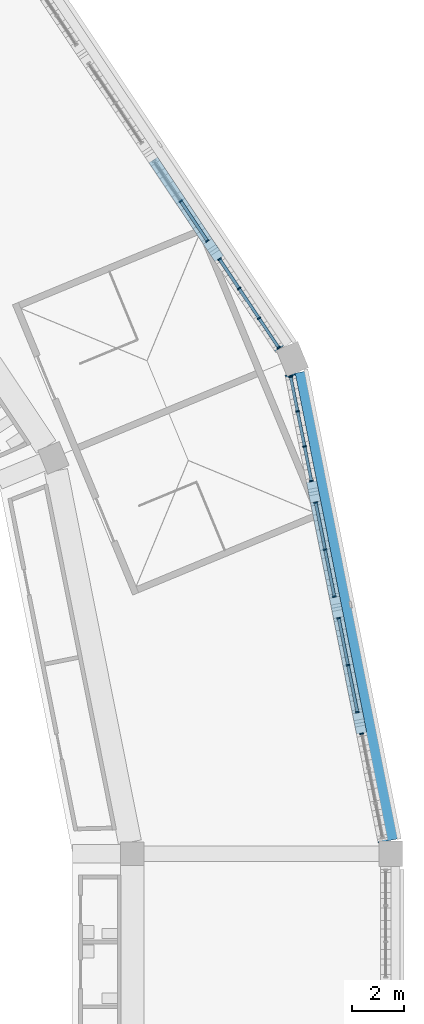
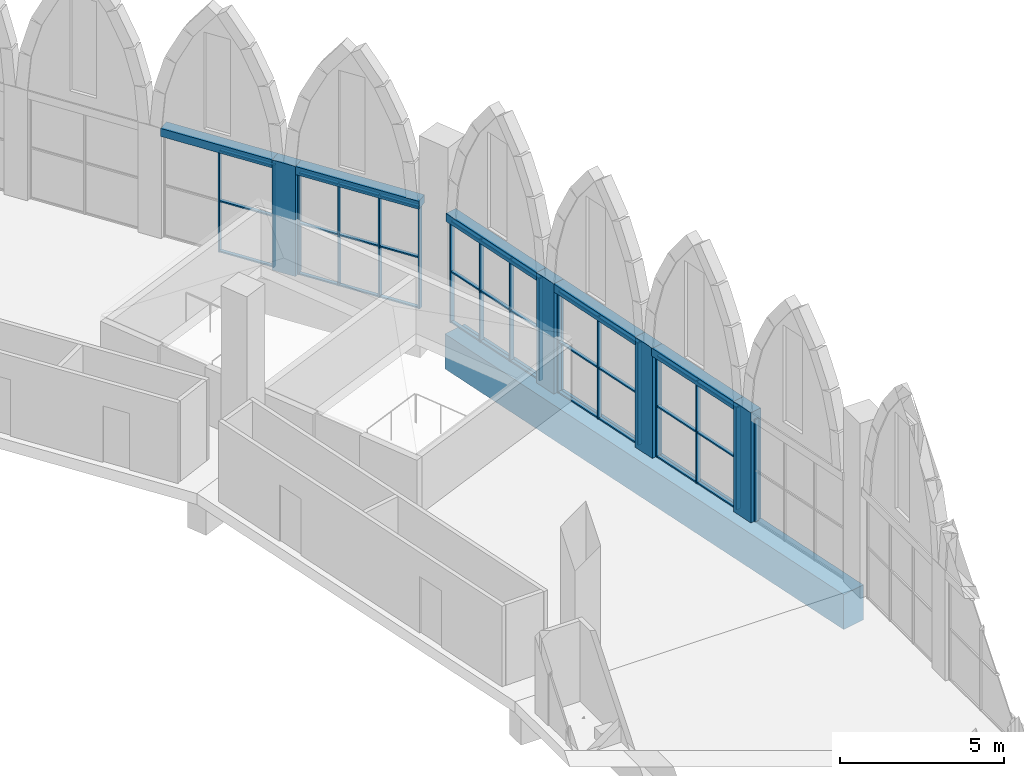
# One storey, part 45 of 130: 54 members, 6 beams, 6 elements without a shape of their own.
"""IFC4 building model written with IfcOpenShell, lengths in metres."""

from ifc_helpers import new_model, si_unit, direction, frame, origin, origin_2d, place, context, subcontext, project, spatial, rectangle, extrude, material, material_profile, profile_set, type_object, element, aggregate, save


model = new_model("IFC4")

# Units and contexts
model_context = context("Model", 3, precision=1e-05, world=origin(), true_north=direction((0.0, 1.0)))
body_context = subcontext(model_context, "Body", "Model", "MODEL_VIEW")
ifc_project = project(units=[si_unit("LENGTHUNIT", "METRE"), si_unit("AREAUNIT", "SQUARE_METRE"), si_unit("VOLUMEUNIT", "CUBIC_METRE"), si_unit("PLANEANGLEUNIT", "RADIAN"), si_unit("MASSUNIT", "GRAM", prefix="KILO")], contexts=[model_context])

# Site, building, storey
site_placement = place(None, origin())
site = spatial("IfcSite", under=ifc_project, at=site_placement, CompositionType="ELEMENT")
building_placement = place(site_placement, origin())
building = spatial("IfcBuilding", under=site, at=building_placement, Name="Ogive Plaza Stadium", CompositionType="ELEMENT")
storey_placement = place(building_placement, frame((0.0, 0.0, 22.5)))
storey = spatial("IfcBuildingStorey", under=building, at=storey_placement, Name="L05", CompositionType="ELEMENT", Elevation=22.5)

# Curtain wall, members
ifc_material_1 = material(Name="Bronze-anodised aluminium with laminated glass", Category="aluminium")
curtain_wall_type = type_object("IfcCurtainWallType", Name="Lancet curtain wall", PredefinedType="NOTDEFINED", material=ifc_material_1)
curtain_wall_1_placement = place(storey_placement, origin())
curtain_wall_1 = element("IfcCurtainWall", 1, at=curtain_wall_1_placement, inside=storey, type_object=curtain_wall_type, Name="CURTAIN WALL B39 L05", PredefinedType="NOTDEFINED")
ifc_material_2 = material(Name="Bronze-anodised aluminium", Category="aluminium")
ifc_material_profile_1 = material_profile(ifc_material_2, rectangle(XDim=0.14990234375, YDim=0.050048828125, at=origin_2d()), Name="AL 150x50")
ifc_profile_set_1 = profile_set([ifc_material_profile_1], Name="Bronze-anodised aluminium")
member_type_1 = type_object("IfcMemberType", Name="Curtain wall mullion 50x150", PredefinedType="MULLION", material=ifc_profile_set_1)
member_1_placement = place(storey_placement, frame((75.874267578125, 77.739013671875, 0.0), z_axis=(0.0, 0.0, 1.0), x_axis=(0.831469612157, 0.555570233237, 0.0)))
member_1 = element("IfcMember", 2, at=member_1_placement, type_object=member_type_1, Name="CW-B39-L05.3 mullion 2", PredefinedType="MULLION", context=body_context, shape_type="SweptSolid", body=[
    extrude(rectangle(XDim=0.14990234375, YDim=0.050048828125, at=origin_2d()), origin(), (0.0, 0.0, 1.0), 3.800048828125),
])
member_2_placement = place(storey_placement, frame((76.904052734375, 76.197998046875, 0.0), z_axis=(0.0, 0.0, 1.0), x_axis=(0.831469612157, 0.555570233237, 0.0)))
member_2 = element("IfcMember", 3, at=member_2_placement, type_object=member_type_1, Name="CW-B39-L05.3 mullion 3", PredefinedType="MULLION", context=body_context, shape_type="SweptSolid", body=[
    extrude(rectangle(XDim=0.14990234375, YDim=0.050048828125, at=origin_2d()), origin(), (0.0, 0.0, 1.0), 3.800048828125),
])

curtain_wall_2_placement = place(storey_placement, origin())
curtain_wall_2 = element("IfcCurtainWall", 4, at=curtain_wall_2_placement, inside=storey, type_object=curtain_wall_type, Name="CURTAIN WALL B39 L05", PredefinedType="NOTDEFINED")
member_3_placement = place(storey_placement, frame((77.376220703125, 75.4912109375, 0.0), z_axis=(0.0, 0.0, 1.0), x_axis=(0.83146961239, 0.555570232889, 0.0)))
member_3 = element("IfcMember", 5, at=member_3_placement, type_object=member_type_1, Name="CW-B39-L05.4 mullion 1", PredefinedType="MULLION", context=body_context, shape_type="SweptSolid", body=[
    extrude(rectangle(XDim=0.14990234375, YDim=0.050048828125, at=origin_2d()), origin(), (0.0, 0.0, 1.0), 3.800048828125),
])
member_4_placement = place(storey_placement, frame((78.13232421875, 74.35986328125, 0.0), z_axis=(0.0, 0.0, 1.0), x_axis=(0.83146961239, 0.555570232889, 0.0)))
member_4 = element("IfcMember", 6, at=member_4_placement, type_object=member_type_1, Name="CW-B39-L05.4 mullion 2", PredefinedType="MULLION", context=body_context, shape_type="SweptSolid", body=[
    extrude(rectangle(XDim=0.14990234375, YDim=0.050048828125, at=origin_2d()), origin(), (0.0, 0.0, 1.0), 3.800048828125),
])
member_5_placement = place(storey_placement, frame((78.902099609375, 73.207763671875, 0.0), z_axis=(0.0, 0.0, 1.0), x_axis=(0.83146961239, 0.555570232889, 0.0)))
member_5 = element("IfcMember", 7, at=member_5_placement, type_object=member_type_1, Name="CW-B39-L05.4 mullion 3", PredefinedType="MULLION", context=body_context, shape_type="SweptSolid", body=[
    extrude(rectangle(XDim=0.14990234375, YDim=0.050048828125, at=origin_2d()), origin(), (0.0, 0.0, 1.0), 3.800048828125),
])
member_6_placement = place(storey_placement, frame((79.657958984375, 72.076171875, 0.0), z_axis=(0.0, 0.0, 1.0), x_axis=(0.83146961239, 0.555570232889, 0.0)))
member_6 = element("IfcMember", 8, at=member_6_placement, type_object=member_type_1, Name="CW-B39-L05.4 mullion 4", PredefinedType="MULLION", context=body_context, shape_type="SweptSolid", body=[
    extrude(rectangle(XDim=0.14990234375, YDim=0.050048828125, at=origin_2d()), origin(), (0.0, 0.0, 1.0), 3.800048828125),
])

curtain_wall_3_placement = place(storey_placement, origin())
curtain_wall_3 = element("IfcCurtainWall", 9, at=curtain_wall_3_placement, inside=storey, type_object=curtain_wall_type, Name="CURTAIN WALL B40 L05", PredefinedType="NOTDEFINED")
member_7_placement = place(storey_placement, frame((80.127685546875, 70.942626953125, 0.0), z_axis=(0.0, 0.0, 1.0), x_axis=(0.980785280413, 0.195090321965, 0.0)))
member_7 = element("IfcMember", 10, at=member_7_placement, type_object=member_type_1, Name="CW-B40-L05.1 mullion 1", PredefinedType="MULLION", context=body_context, shape_type="SweptSolid", body=[
    extrude(rectangle(XDim=0.14990234375, YDim=0.050048828125, at=origin_2d()), origin(), (0.0, 0.0, 1.0), 3.800048828125),
])
member_8_placement = place(storey_placement, frame((80.39306640625, 69.608154296875, 0.0), z_axis=(0.0, 0.0, 1.0), x_axis=(0.980785280413, 0.195090321965, 0.0)))
member_8 = element("IfcMember", 11, at=member_8_placement, type_object=member_type_1, Name="CW-B40-L05.1 mullion 2", PredefinedType="MULLION", context=body_context, shape_type="SweptSolid", body=[
    extrude(rectangle(XDim=0.14990234375, YDim=0.050048828125, at=origin_2d()), origin(), (0.0, 0.0, 1.0), 3.800048828125),
])
member_9_placement = place(storey_placement, frame((80.663330078125, 68.2490234375, 0.0), z_axis=(0.0, 0.0, 1.0), x_axis=(0.980785280413, 0.195090321965, 0.0)))
member_9 = element("IfcMember", 12, at=member_9_placement, type_object=member_type_1, Name="CW-B40-L05.1 mullion 3", PredefinedType="MULLION", context=body_context, shape_type="SweptSolid", body=[
    extrude(rectangle(XDim=0.14990234375, YDim=0.050048828125, at=origin_2d()), origin(), (0.0, 0.0, 1.0), 3.800048828125),
])
member_10_placement = place(storey_placement, frame((80.928955078125, 66.914306640625, 0.0), z_axis=(0.0, 0.0, 1.0), x_axis=(0.980785280413, 0.195090321965, 0.0)))
member_10 = element("IfcMember", 13, at=member_10_placement, type_object=member_type_1, Name="CW-B40-L05.1 mullion 4", PredefinedType="MULLION", context=body_context, shape_type="SweptSolid", body=[
    extrude(rectangle(XDim=0.14990234375, YDim=0.050048828125, at=origin_2d()), origin(), (0.0, 0.0, 1.0), 3.800048828125),
])

curtain_wall_4_placement = place(storey_placement, origin())
curtain_wall_4 = element("IfcCurtainWall", 14, at=curtain_wall_4_placement, inside=storey, type_object=curtain_wall_type, Name="CURTAIN WALL B40 L05", PredefinedType="NOTDEFINED")
member_11_placement = place(storey_placement, frame((81.0947265625, 66.080810546875, 0.0), z_axis=(0.0, 0.0, 1.0), x_axis=(0.980785280376, 0.195090322153, 0.0)))
member_11 = element("IfcMember", 15, at=member_11_placement, type_object=member_type_1, Name="CW-B40-L05.2 mullion 1", PredefinedType="MULLION", context=body_context, shape_type="SweptSolid", body=[
    extrude(rectangle(XDim=0.14990234375, YDim=0.050048828125, at=origin_2d()), origin(), (0.0, 0.0, 1.0), 3.800048828125),
])
member_12_placement = place(storey_placement, frame((81.456298828125, 64.262939453125, 0.0), z_axis=(0.0, 0.0, 1.0), x_axis=(0.980785280376, 0.195090322153, 0.0)))
member_12 = element("IfcMember", 16, at=member_12_placement, type_object=member_type_1, Name="CW-B40-L05.2 mullion 2", PredefinedType="MULLION", context=body_context, shape_type="SweptSolid", body=[
    extrude(rectangle(XDim=0.14990234375, YDim=0.050048828125, at=origin_2d()), origin(), (0.0, 0.0, 1.0), 3.800048828125),
])
member_13_placement = place(storey_placement, frame((81.81787109375, 62.44482421875, 0.0), z_axis=(0.0, 0.0, 1.0), x_axis=(0.980785280376, 0.195090322153, 0.0)))
member_13 = element("IfcMember", 17, at=member_13_placement, type_object=member_type_1, Name="CW-B40-L05.2 mullion 3", PredefinedType="MULLION", context=body_context, shape_type="SweptSolid", body=[
    extrude(rectangle(XDim=0.14990234375, YDim=0.050048828125, at=origin_2d()), origin(), (0.0, 0.0, 1.0), 3.800048828125),
])

curtain_wall_5_placement = place(storey_placement, origin())
curtain_wall_5 = element("IfcCurtainWall", 18, at=curtain_wall_5_placement, inside=storey, type_object=curtain_wall_type, Name="CURTAIN WALL B40 L05", PredefinedType="NOTDEFINED")
member_14_placement = place(storey_placement, frame((81.983642578125, 61.611328125, 0.0), z_axis=(0.0, 0.0, 1.0), x_axis=(0.980785280427, 0.195090321896, 0.0)))
member_14 = element("IfcMember", 19, at=member_14_placement, type_object=member_type_1, Name="CW-B40-L05.3 mullion 1", PredefinedType="MULLION", context=body_context, shape_type="SweptSolid", body=[
    extrude(rectangle(XDim=0.14990234375, YDim=0.050048828125, at=origin_2d()), origin(), (0.0, 0.0, 1.0), 3.800048828125),
])
member_15_placement = place(storey_placement, frame((82.345458984375, 59.793212890625, 0.0), z_axis=(0.0, 0.0, 1.0), x_axis=(0.980785280427, 0.195090321896, 0.0)))
member_15 = element("IfcMember", 20, at=member_15_placement, type_object=member_type_1, Name="CW-B40-L05.3 mullion 2", PredefinedType="MULLION", context=body_context, shape_type="SweptSolid", body=[
    extrude(rectangle(XDim=0.14990234375, YDim=0.050048828125, at=origin_2d()), origin(), (0.0, 0.0, 1.0), 3.800048828125),
])
member_16_placement = place(storey_placement, frame((82.70703125, 57.975341796875, 0.0), z_axis=(0.0, 0.0, 1.0), x_axis=(0.980785280427, 0.195090321896, 0.0)))
member_16 = element("IfcMember", 21, at=member_16_placement, type_object=member_type_1, Name="CW-B40-L05.3 mullion 3", PredefinedType="MULLION", context=body_context, shape_type="SweptSolid", body=[
    extrude(rectangle(XDim=0.14990234375, YDim=0.050048828125, at=origin_2d()), origin(), (0.0, 0.0, 1.0), 3.800048828125),
])

# Curtain wall, member
curtain_wall_6_placement = place(storey_placement, origin())
curtain_wall_6 = element("IfcCurtainWall", 22, at=curtain_wall_6_placement, inside=storey, type_object=curtain_wall_type, Name="CURTAIN WALL B40 L05", PredefinedType="NOTDEFINED")
member_17_placement = place(storey_placement, frame((82.872802734375, 57.1416015625, 0.0), z_axis=(0.0, 0.0, 1.0), x_axis=(0.980785280413, 0.195090321965, 0.0)))
member_17 = element("IfcMember", 23, at=member_17_placement, type_object=member_type_1, Name="CW-B40-L05.4 mullion 1", PredefinedType="MULLION", context=body_context, shape_type="SweptSolid", body=[
    extrude(rectangle(XDim=0.14990234375, YDim=0.050048828125, at=origin_2d()), origin(), (0.0, 0.0, 1.0), 3.800048828125),
])
aggregate(curtain_wall_6, [member_17])

# Member
ifc_material_3 = material(Name="Bronze-anodised aluminium", Category="aluminium")
ifc_material_profile_2 = material_profile(ifc_material_3, rectangle(XDim=0.1201171875, YDim=0.050048828125, at=origin_2d()), Name="AL 120x50")
ifc_profile_set_2 = profile_set([ifc_material_profile_2], Name="Bronze-anodised aluminium")
member_type_2 = type_object("IfcMemberType", Name="Curtain wall transom 50x120", PredefinedType="USERDEFINED", material=ifc_profile_set_2)
member_18_placement = place(storey_placement, frame((75.88818359375, 77.71826171875, 0.02490234375), z_axis=(0.555574613559, -0.831466685303, 0.0), x_axis=(0.831466685303, 0.555574613559, 0.0)))
member_18 = element("IfcMember", 24, at=member_18_placement, type_object=member_type_2, Name="CW-B39-L05.3 transom 2.1", ObjectType="TRANSOM", PredefinedType="USERDEFINED", context=body_context, shape_type="SweptSolid", body=[
    extrude(rectangle(XDim=0.1201171875, YDim=0.050048828125, at=origin_2d()), origin(), (0.0, 0.0, 1.0), 1.803466796875),
])

member_19_placement = place(storey_placement, frame((75.88818359375, 77.71826171875, 1.89990234375), z_axis=(0.555574613559, -0.831466685303, 0.0), x_axis=(0.831466685303, 0.555574613559, 0.0)))
member_19 = element("IfcMember", 25, at=member_19_placement, type_object=member_type_2, Name="CW-B39-L05.3 transom 2.2", ObjectType="TRANSOM", PredefinedType="USERDEFINED", context=body_context, shape_type="SweptSolid", body=[
    extrude(rectangle(XDim=0.1201171875, YDim=0.050048828125, at=origin_2d()), origin(), (0.0, 0.0, 1.0), 1.803466796875),
])

member_20_placement = place(storey_placement, frame((75.88818359375, 77.71826171875, 3.77490234375), z_axis=(0.555574613559, -0.831466685303, 0.0), x_axis=(0.831466685303, 0.555574613559, 0.0)))
member_20 = element("IfcMember", 26, at=member_20_placement, type_object=member_type_2, Name="CW-B39-L05.3 transom 2.3", ObjectType="TRANSOM", PredefinedType="USERDEFINED", context=body_context, shape_type="SweptSolid", body=[
    extrude(rectangle(XDim=0.1201171875, YDim=0.050048828125, at=origin_2d()), origin(), (0.0, 0.0, 1.0), 1.803466796875),
])

aggregate(curtain_wall_1, [member_1, member_2, member_18, member_19, member_20])

member_21_placement = place(storey_placement, frame((77.39013671875, 75.470458984375, 0.02490234375), z_axis=(0.555602496438, -0.83144805367, 0.0), x_axis=(0.83144805367, 0.555602496438, 0.0)))
member_21 = element("IfcMember", 27, at=member_21_placement, type_object=member_type_2, Name="CW-B39-L05.4 transom 1.1", ObjectType="TRANSOM", PredefinedType="USERDEFINED", context=body_context, shape_type="SweptSolid", body=[
    extrude(rectangle(XDim=0.1201171875, YDim=0.050048828125, at=origin_2d()), origin(), (0.0, 0.0, 1.0), 1.310791015625),
])

member_22_placement = place(storey_placement, frame((77.39013671875, 75.470458984375, 1.89990234375), z_axis=(0.555602496438, -0.83144805367, 0.0), x_axis=(0.83144805367, 0.555602496438, 0.0)))
member_22 = element("IfcMember", 28, at=member_22_placement, type_object=member_type_2, Name="CW-B39-L05.4 transom 1.2", ObjectType="TRANSOM", PredefinedType="USERDEFINED", context=body_context, shape_type="SweptSolid", body=[
    extrude(rectangle(XDim=0.1201171875, YDim=0.050048828125, at=origin_2d()), origin(), (0.0, 0.0, 1.0), 1.310791015625),
])

member_23_placement = place(storey_placement, frame((77.39013671875, 75.470458984375, 3.77490234375), z_axis=(0.555602496438, -0.83144805367, 0.0), x_axis=(0.83144805367, 0.555602496438, 0.0)))
member_23 = element("IfcMember", 29, at=member_23_placement, type_object=member_type_2, Name="CW-B39-L05.4 transom 1.3", ObjectType="TRANSOM", PredefinedType="USERDEFINED", context=body_context, shape_type="SweptSolid", body=[
    extrude(rectangle(XDim=0.1201171875, YDim=0.050048828125, at=origin_2d()), origin(), (0.0, 0.0, 1.0), 1.310791015625),
])

member_24_placement = place(storey_placement, frame((78.14599609375, 74.339111328125, 0.02490234375), z_axis=(0.555627772154, -0.831431163002, 0.0), x_axis=(0.831431163002, 0.555627772154, 0.0)))
member_24 = element("IfcMember", 30, at=member_24_placement, type_object=member_type_2, Name="CW-B39-L05.4 transom 2.1", ObjectType="TRANSOM", PredefinedType="USERDEFINED", context=body_context, shape_type="SweptSolid", body=[
    extrude(rectangle(XDim=0.1201171875, YDim=0.050048828125, at=origin_2d()), origin(), (0.0, 0.0, 1.0), 1.335693359375),
])

member_25_placement = place(storey_placement, frame((78.14599609375, 74.339111328125, 1.89990234375), z_axis=(0.555627772154, -0.831431163002, 0.0), x_axis=(0.831431163002, 0.555627772154, 0.0)))
member_25 = element("IfcMember", 31, at=member_25_placement, type_object=member_type_2, Name="CW-B39-L05.4 transom 2.2", ObjectType="TRANSOM", PredefinedType="USERDEFINED", context=body_context, shape_type="SweptSolid", body=[
    extrude(rectangle(XDim=0.1201171875, YDim=0.050048828125, at=origin_2d()), origin(), (0.0, 0.0, 1.0), 1.335693359375),
])

member_26_placement = place(storey_placement, frame((78.14599609375, 74.339111328125, 3.77490234375), z_axis=(0.555627772154, -0.831431163002, 0.0), x_axis=(0.831431163002, 0.555627772154, 0.0)))
member_26 = element("IfcMember", 32, at=member_26_placement, type_object=member_type_2, Name="CW-B39-L05.4 transom 2.3", ObjectType="TRANSOM", PredefinedType="USERDEFINED", context=body_context, shape_type="SweptSolid", body=[
    extrude(rectangle(XDim=0.1201171875, YDim=0.050048828125, at=origin_2d()), origin(), (0.0, 0.0, 1.0), 1.335693359375),
])

member_27_placement = place(storey_placement, frame((78.916015625, 73.186767578125, 0.02490234375), z_axis=(0.555559766553, -0.831476605676, 0.0), x_axis=(0.831476605676, 0.555559766553, 0.0)))
member_27 = element("IfcMember", 33, at=member_27_placement, type_object=member_type_2, Name="CW-B39-L05.4 transom 3.1", ObjectType="TRANSOM", PredefinedType="USERDEFINED", context=body_context, shape_type="SweptSolid", body=[
    extrude(rectangle(XDim=0.1201171875, YDim=0.050048828125, at=origin_2d()), origin(), (0.0, 0.0, 1.0), 1.310546875),
])

member_28_placement = place(storey_placement, frame((78.916015625, 73.186767578125, 1.89990234375), z_axis=(0.555559766553, -0.831476605676, 0.0), x_axis=(0.831476605676, 0.555559766553, 0.0)))
member_28 = element("IfcMember", 34, at=member_28_placement, type_object=member_type_2, Name="CW-B39-L05.4 transom 3.2", ObjectType="TRANSOM", PredefinedType="USERDEFINED", context=body_context, shape_type="SweptSolid", body=[
    extrude(rectangle(XDim=0.1201171875, YDim=0.050048828125, at=origin_2d()), origin(), (0.0, 0.0, 1.0), 1.310546875),
])

member_29_placement = place(storey_placement, frame((78.916015625, 73.186767578125, 3.77490234375), z_axis=(0.555559766553, -0.831476605676, 0.0), x_axis=(0.831476605676, 0.555559766553, 0.0)))
member_29 = element("IfcMember", 35, at=member_29_placement, type_object=member_type_2, Name="CW-B39-L05.4 transom 3.3", ObjectType="TRANSOM", PredefinedType="USERDEFINED", context=body_context, shape_type="SweptSolid", body=[
    extrude(rectangle(XDim=0.1201171875, YDim=0.050048828125, at=origin_2d()), origin(), (0.0, 0.0, 1.0), 1.310546875),
])

aggregate(curtain_wall_2, [member_3, member_4, member_5, member_6, member_21, member_22, member_23, member_24, member_25, member_26, member_27, member_28, member_29])

member_30_placement = place(storey_placement, frame((80.132568359375, 70.91796875, 0.02490234375), z_axis=(0.195041291255, -0.980795031954, 0.0), x_axis=(0.980795031954, 0.195041291255, 0.0)))
member_30 = element("IfcMember", 36, at=member_30_placement, type_object=member_type_2, Name="CW-B40-L05.1 transom 1.1", ObjectType="TRANSOM", PredefinedType="USERDEFINED", context=body_context, shape_type="SweptSolid", body=[
    extrude(rectangle(XDim=0.1201171875, YDim=0.050048828125, at=origin_2d()), origin(), (0.0, 0.0, 1.0), 1.310546875),
])

member_31_placement = place(storey_placement, frame((80.132568359375, 70.91796875, 1.89990234375), z_axis=(0.195041291255, -0.980795031954, 0.0), x_axis=(0.980795031954, 0.195041291255, 0.0)))
member_31 = element("IfcMember", 37, at=member_31_placement, type_object=member_type_2, Name="CW-B40-L05.1 transom 1.2", ObjectType="TRANSOM", PredefinedType="USERDEFINED", context=body_context, shape_type="SweptSolid", body=[
    extrude(rectangle(XDim=0.1201171875, YDim=0.050048828125, at=origin_2d()), origin(), (0.0, 0.0, 1.0), 1.310546875),
])

member_32_placement = place(storey_placement, frame((80.132568359375, 70.91796875, 3.77490234375), z_axis=(0.195041291255, -0.980795031954, 0.0), x_axis=(0.980795031954, 0.195041291255, 0.0)))
member_32 = element("IfcMember", 38, at=member_32_placement, type_object=member_type_2, Name="CW-B40-L05.1 transom 1.3", ObjectType="TRANSOM", PredefinedType="USERDEFINED", context=body_context, shape_type="SweptSolid", body=[
    extrude(rectangle(XDim=0.1201171875, YDim=0.050048828125, at=origin_2d()), origin(), (0.0, 0.0, 1.0), 1.310546875),
])

member_33_placement = place(storey_placement, frame((80.39794921875, 69.58349609375, 0.02490234375), z_axis=(0.195026363475, -0.98079800038, 0.0), x_axis=(0.98079800038, 0.195026363475, 0.0)))
member_33 = element("IfcMember", 39, at=member_33_placement, type_object=member_type_2, Name="CW-B40-L05.1 transom 2.1", ObjectType="TRANSOM", PredefinedType="USERDEFINED", context=body_context, shape_type="SweptSolid", body=[
    extrude(rectangle(XDim=0.1201171875, YDim=0.050048828125, at=origin_2d()), origin(), (0.0, 0.0, 1.0), 1.335693359375),
])

member_34_placement = place(storey_placement, frame((80.39794921875, 69.58349609375, 1.89990234375), z_axis=(0.195026363475, -0.98079800038, 0.0), x_axis=(0.98079800038, 0.195026363475, 0.0)))
member_34 = element("IfcMember", 40, at=member_34_placement, type_object=member_type_2, Name="CW-B40-L05.1 transom 2.2", ObjectType="TRANSOM", PredefinedType="USERDEFINED", context=body_context, shape_type="SweptSolid", body=[
    extrude(rectangle(XDim=0.1201171875, YDim=0.050048828125, at=origin_2d()), origin(), (0.0, 0.0, 1.0), 1.335693359375),
])

member_35_placement = place(storey_placement, frame((80.39794921875, 69.58349609375, 3.77490234375), z_axis=(0.195026363475, -0.98079800038, 0.0), x_axis=(0.98079800038, 0.195026363475, 0.0)))
member_35 = element("IfcMember", 41, at=member_35_placement, type_object=member_type_2, Name="CW-B40-L05.1 transom 2.3", ObjectType="TRANSOM", PredefinedType="USERDEFINED", context=body_context, shape_type="SweptSolid", body=[
    extrude(rectangle(XDim=0.1201171875, YDim=0.050048828125, at=origin_2d()), origin(), (0.0, 0.0, 1.0), 1.335693359375),
])

member_36_placement = place(storey_placement, frame((80.668212890625, 68.224365234375, 0.02490234375), z_axis=(0.195220480822, -0.980759381228, 0.0), x_axis=(0.980759381228, 0.195220480822, 0.0)))
member_36 = element("IfcMember", 42, at=member_36_placement, type_object=member_type_2, Name="CW-B40-L05.1 transom 3.1", ObjectType="TRANSOM", PredefinedType="USERDEFINED", context=body_context, shape_type="SweptSolid", body=[
    extrude(rectangle(XDim=0.1201171875, YDim=0.050048828125, at=origin_2d()), origin(), (0.0, 0.0, 1.0), 1.310546875),
])

member_37_placement = place(storey_placement, frame((80.668212890625, 68.224365234375, 1.89990234375), z_axis=(0.195220480822, -0.980759381228, 0.0), x_axis=(0.980759381228, 0.195220480822, 0.0)))
member_37 = element("IfcMember", 43, at=member_37_placement, type_object=member_type_2, Name="CW-B40-L05.1 transom 3.2", ObjectType="TRANSOM", PredefinedType="USERDEFINED", context=body_context, shape_type="SweptSolid", body=[
    extrude(rectangle(XDim=0.1201171875, YDim=0.050048828125, at=origin_2d()), origin(), (0.0, 0.0, 1.0), 1.310546875),
])

member_38_placement = place(storey_placement, frame((80.668212890625, 68.224365234375, 3.77490234375), z_axis=(0.195220480822, -0.980759381228, 0.0), x_axis=(0.980759381228, 0.195220480822, 0.0)))
member_38 = element("IfcMember", 44, at=member_38_placement, type_object=member_type_2, Name="CW-B40-L05.1 transom 3.3", ObjectType="TRANSOM", PredefinedType="USERDEFINED", context=body_context, shape_type="SweptSolid", body=[
    extrude(rectangle(XDim=0.1201171875, YDim=0.050048828125, at=origin_2d()), origin(), (0.0, 0.0, 1.0), 1.310546875),
])

aggregate(curtain_wall_3, [member_7, member_8, member_9, member_10, member_30, member_31, member_32, member_33, member_34, member_35, member_36, member_37, member_38])

member_39_placement = place(storey_placement, frame((81.099609375, 66.05615234375, 0.02490234375), z_axis=(0.195074682096, -0.980788391247, 0.0), x_axis=(0.980788391247, 0.195074682096, 0.0)))
member_39 = element("IfcMember", 45, at=member_39_placement, type_object=member_type_2, Name="CW-B40-L05.2 transom 1.1", ObjectType="TRANSOM", PredefinedType="USERDEFINED", context=body_context, shape_type="SweptSolid", body=[
    extrude(rectangle(XDim=0.1201171875, YDim=0.050048828125, at=origin_2d()), origin(), (0.0, 0.0, 1.0), 1.803466796875),
])

member_40_placement = place(storey_placement, frame((81.099609375, 66.05615234375, 1.89990234375), z_axis=(0.195074682096, -0.980788391247, 0.0), x_axis=(0.980788391247, 0.195074682096, 0.0)))
member_40 = element("IfcMember", 46, at=member_40_placement, type_object=member_type_2, Name="CW-B40-L05.2 transom 1.2", ObjectType="TRANSOM", PredefinedType="USERDEFINED", context=body_context, shape_type="SweptSolid", body=[
    extrude(rectangle(XDim=0.1201171875, YDim=0.050048828125, at=origin_2d()), origin(), (0.0, 0.0, 1.0), 1.803466796875),
])

member_41_placement = place(storey_placement, frame((81.099609375, 66.05615234375, 3.77490234375), z_axis=(0.195074682096, -0.980788391247, 0.0), x_axis=(0.980788391247, 0.195074682096, 0.0)))
member_41 = element("IfcMember", 47, at=member_41_placement, type_object=member_type_2, Name="CW-B40-L05.2 transom 1.3", ObjectType="TRANSOM", PredefinedType="USERDEFINED", context=body_context, shape_type="SweptSolid", body=[
    extrude(rectangle(XDim=0.1201171875, YDim=0.050048828125, at=origin_2d()), origin(), (0.0, 0.0, 1.0), 1.803466796875),
])

member_42_placement = place(storey_placement, frame((81.461181640625, 64.23828125, 0.02490234375), z_axis=(0.195074682096, -0.980788391247, 0.0), x_axis=(0.980788391247, 0.195074682096, 0.0)))
member_42 = element("IfcMember", 48, at=member_42_placement, type_object=member_type_2, Name="CW-B40-L05.2 transom 2.1", ObjectType="TRANSOM", PredefinedType="USERDEFINED", context=body_context, shape_type="SweptSolid", body=[
    extrude(rectangle(XDim=0.1201171875, YDim=0.050048828125, at=origin_2d()), origin(), (0.0, 0.0, 1.0), 1.803466796875),
])

member_43_placement = place(storey_placement, frame((81.461181640625, 64.23828125, 1.89990234375), z_axis=(0.195074682096, -0.980788391247, 0.0), x_axis=(0.980788391247, 0.195074682096, 0.0)))
member_43 = element("IfcMember", 49, at=member_43_placement, type_object=member_type_2, Name="CW-B40-L05.2 transom 2.2", ObjectType="TRANSOM", PredefinedType="USERDEFINED", context=body_context, shape_type="SweptSolid", body=[
    extrude(rectangle(XDim=0.1201171875, YDim=0.050048828125, at=origin_2d()), origin(), (0.0, 0.0, 1.0), 1.803466796875),
])

member_44_placement = place(storey_placement, frame((81.461181640625, 64.23828125, 3.77490234375), z_axis=(0.195074682096, -0.980788391247, 0.0), x_axis=(0.980788391247, 0.195074682096, 0.0)))
member_44 = element("IfcMember", 50, at=member_44_placement, type_object=member_type_2, Name="CW-B40-L05.2 transom 2.3", ObjectType="TRANSOM", PredefinedType="USERDEFINED", context=body_context, shape_type="SweptSolid", body=[
    extrude(rectangle(XDim=0.1201171875, YDim=0.050048828125, at=origin_2d()), origin(), (0.0, 0.0, 1.0), 1.803466796875),
])

aggregate(curtain_wall_4, [member_11, member_12, member_13, member_39, member_40, member_41, member_42, member_43, member_44])

member_45_placement = place(storey_placement, frame((81.988525390625, 61.586669921875, 0.02490234375), z_axis=(0.195204899896, -0.980762482488, 0.0), x_axis=(0.980762482488, 0.195204899896, 0.0)))
member_45 = element("IfcMember", 51, at=member_45_placement, type_object=member_type_2, Name="CW-B40-L05.3 transom 1.1", ObjectType="TRANSOM", PredefinedType="USERDEFINED", context=body_context, shape_type="SweptSolid", body=[
    extrude(rectangle(XDim=0.1201171875, YDim=0.050048828125, at=origin_2d()), origin(), (0.0, 0.0, 1.0), 1.803466796875),
])

member_46_placement = place(storey_placement, frame((81.988525390625, 61.586669921875, 1.89990234375), z_axis=(0.195204899896, -0.980762482488, 0.0), x_axis=(0.980762482488, 0.195204899896, 0.0)))
member_46 = element("IfcMember", 52, at=member_46_placement, type_object=member_type_2, Name="CW-B40-L05.3 transom 1.2", ObjectType="TRANSOM", PredefinedType="USERDEFINED", context=body_context, shape_type="SweptSolid", body=[
    extrude(rectangle(XDim=0.1201171875, YDim=0.050048828125, at=origin_2d()), origin(), (0.0, 0.0, 1.0), 1.803466796875),
])

member_47_placement = place(storey_placement, frame((81.988525390625, 61.586669921875, 3.77490234375), z_axis=(0.195204899896, -0.980762482488, 0.0), x_axis=(0.980762482488, 0.195204899896, 0.0)))
member_47 = element("IfcMember", 53, at=member_47_placement, type_object=member_type_2, Name="CW-B40-L05.3 transom 1.3", ObjectType="TRANSOM", PredefinedType="USERDEFINED", context=body_context, shape_type="SweptSolid", body=[
    extrude(rectangle(XDim=0.1201171875, YDim=0.050048828125, at=origin_2d()), origin(), (0.0, 0.0, 1.0), 1.803466796875),
])

member_48_placement = place(storey_placement, frame((82.350341796875, 59.768798828125, 0.02490234375), z_axis=(0.195074682096, -0.980788391247, 0.0), x_axis=(0.980788391247, 0.195074682096, 0.0)))
member_48 = element("IfcMember", 54, at=member_48_placement, type_object=member_type_2, Name="CW-B40-L05.3 transom 2.1", ObjectType="TRANSOM", PredefinedType="USERDEFINED", context=body_context, shape_type="SweptSolid", body=[
    extrude(rectangle(XDim=0.1201171875, YDim=0.050048828125, at=origin_2d()), origin(), (0.0, 0.0, 1.0), 1.803466796875),
])

member_49_placement = place(storey_placement, frame((82.350341796875, 59.768798828125, 1.89990234375), z_axis=(0.195074682096, -0.980788391247, 0.0), x_axis=(0.980788391247, 0.195074682096, 0.0)))
member_49 = element("IfcMember", 55, at=member_49_placement, type_object=member_type_2, Name="CW-B40-L05.3 transom 2.2", ObjectType="TRANSOM", PredefinedType="USERDEFINED", context=body_context, shape_type="SweptSolid", body=[
    extrude(rectangle(XDim=0.1201171875, YDim=0.050048828125, at=origin_2d()), origin(), (0.0, 0.0, 1.0), 1.803466796875),
])

member_50_placement = place(storey_placement, frame((82.350341796875, 59.768798828125, 3.77490234375), z_axis=(0.195074682096, -0.980788391247, 0.0), x_axis=(0.980788391247, 0.195074682096, 0.0)))
member_50 = element("IfcMember", 56, at=member_50_placement, type_object=member_type_2, Name="CW-B40-L05.3 transom 2.3", ObjectType="TRANSOM", PredefinedType="USERDEFINED", context=body_context, shape_type="SweptSolid", body=[
    extrude(rectangle(XDim=0.1201171875, YDim=0.050048828125, at=origin_2d()), origin(), (0.0, 0.0, 1.0), 1.803466796875),
])

aggregate(curtain_wall_5, [member_14, member_15, member_16, member_45, member_46, member_47, member_48, member_49, member_50])

# Members
ifc_material_4 = material(Name="Concrete C45/55 precast", Category="concrete")
ifc_material_profile_3 = material_profile(ifc_material_4, rectangle(XDim=0.39990234375, YDim=0.800048828125, at=origin_2d()), Name="RC 400x800")
ifc_profile_set_3 = profile_set([ifc_material_profile_3], Name="Concrete C45/55 precast")
member_type_3 = type_object("IfcMemberType", Name="Precast colonette 800x400", PredefinedType="POST", material=ifc_profile_set_3)
for number, where, z_axis, x_axis, name in (
    (57, (77.14013671875, 75.844482421875, 0.0), (0.0, 0.0, 1.0), (0.831469612303, 0.55557023302, 0.0), "COLONETTE B39 3"),
    (58, (81.01171875, 66.49755859375, 0.0), (0.0, 0.0, 1.0), (0.980785280403, 0.195090322016, 0.0), "COLONETTE B40 1"),
    (59, (81.90087890625, 62.028076171875, 0.0), (0.0, 0.0, 1.0), (0.980785280403, 0.195090322016, 0.0), "COLONETTE B40 2"),
    (60, (82.789794921875, 57.55859375, 0.0), (0.0, 0.0, 1.0), (0.980785280403, 0.195090322016, 0.0), "COLONETTE B40 3"),
):
    element("IfcMember", number, at=place(storey_placement, frame(where, z_axis=z_axis, x_axis=x_axis)), inside=storey, type_object=member_type_3, Name=name, PredefinedType="POST", context=body_context, shape_type="SweptSolid", body=[
        extrude(rectangle(XDim=0.39990234375, YDim=0.800048828125, at=origin_2d()), origin(), (0.0, 0.0, 1.0), 4.10009765625),
    ])

# Beams
ifc_material_5 = material(Name="Concrete C45/55 precast", Category="concrete")
ifc_material_profile_4 = material_profile(ifc_material_5, rectangle(XDim=0.39990234375, YDim=0.300048828125, at=origin_2d()), Name="RC 400x300")
ifc_profile_set_4 = profile_set([ifc_material_profile_4], Name="Concrete C45/55 precast")
beam_type_1 = type_object("IfcBeamType", Name="Precast tympanum lintel 400x300", PredefinedType="BEAM", material=ifc_profile_set_4)
beam_1_placement = place(storey_placement, frame((74.81396484375, 79.325927734375, 3.949951171875), z_axis=(0.555555981733, -0.831479134531, 0.0), x_axis=(0.831479134531, 0.555555981733, 0.0)))
element("IfcBeam", 61, at=beam_1_placement, inside=storey, type_object=beam_type_1, Name="TYMPANUM LINTEL B39 3", PredefinedType="BEAM", context=body_context, shape_type="SweptSolid", body=[
    extrude(rectangle(XDim=0.39990234375, YDim=0.300048828125, at=origin_2d()), origin(), (0.0, 0.0, 1.0), 3.817138671875),
])
for number, where, z_axis, x_axis, name in (
    (62, (77.345703125, 75.536865234375, 3.949951171875), (0.555554959537, -0.831479817514, 0.0), (0.831479817514, 0.555554959537, 0.0), "TYMPANUM LINTEL B39 4"),
    (63, (80.116943359375, 70.99658203125, 3.949951171875), (0.195102884914, -0.980782781404, 0.0), (0.980782781404, 0.195102884914, 0.0), "TYMPANUM LINTEL B40 1"),
):
    element("IfcBeam", number, at=place(storey_placement, frame(where, z_axis=z_axis, x_axis=x_axis)), inside=storey, type_object=beam_type_1, Name=name, PredefinedType="BEAM", context=body_context, shape_type="SweptSolid", body=[
        extrude(rectangle(XDim=0.39990234375, YDim=0.300048828125, at=origin_2d()), origin(), (0.0, 0.0, 1.0), 4.217041015625),
    ])
beam_2_placement = place(storey_placement, frame((81.083984375, 66.134765625, 3.949951171875), z_axis=(0.19507056353, -0.980789210404, 0.0), x_axis=(0.980789210404, 0.19507056353, 0.0)))
element("IfcBeam", 64, at=beam_2_placement, inside=storey, type_object=beam_type_1, Name="TYMPANUM LINTEL B40 2", PredefinedType="BEAM", context=body_context, shape_type="SweptSolid", body=[
    extrude(rectangle(XDim=0.39990234375, YDim=0.300048828125, at=origin_2d()), origin(), (0.0, 0.0, 1.0), 3.817138671875),
])
beam_3_placement = place(storey_placement, frame((81.972900390625, 61.665283203125, 3.949951171875), z_axis=(0.195132086194, -0.980776972067, 0.0), x_axis=(0.980776972067, 0.195132086194, 0.0)))
element("IfcBeam", 65, at=beam_3_placement, inside=storey, type_object=beam_type_1, Name="TYMPANUM LINTEL B40 3", PredefinedType="BEAM", context=body_context, shape_type="SweptSolid", body=[
    extrude(rectangle(XDim=0.39990234375, YDim=0.300048828125, at=origin_2d()), origin(), (0.0, 0.0, 1.0), 3.8173828125),
])
ifc_material_6 = material(Name="Concrete C40/50", Category="concrete")
ifc_material_profile_5 = material_profile(ifc_material_6, rectangle(XDim=0.800048828125, YDim=1.300048828125, at=origin_2d()), Name="RC 800x1300")
ifc_profile_set_5 = profile_set([ifc_material_profile_5], Name="Concrete C40/50")
beam_type_2 = type_object("IfcBeamType", Name="RC spandrel beam 800x1300", PredefinedType="SPANDREL", material=ifc_profile_set_5)
beam_4_placement = place(storey_placement, frame((80.303466796875, 71.084228515625, -1.06005859375), z_axis=(0.195089866178, -0.980785371075, 0.0), x_axis=(0.980785371075, 0.195089866178, 0.0)))
element("IfcBeam", 66, at=beam_4_placement, inside=storey, type_object=beam_type_2, Name="Ring beam F5 L05 B40", PredefinedType="SPANDREL", context=body_context, shape_type="SweptSolid", body=[
    extrude(rectangle(XDim=0.800048828125, YDim=1.300048828125, at=origin_2d()), origin(), (0.0, 0.0, 1.0), 18.4384765625),
])

save(model, "model.ifc")
